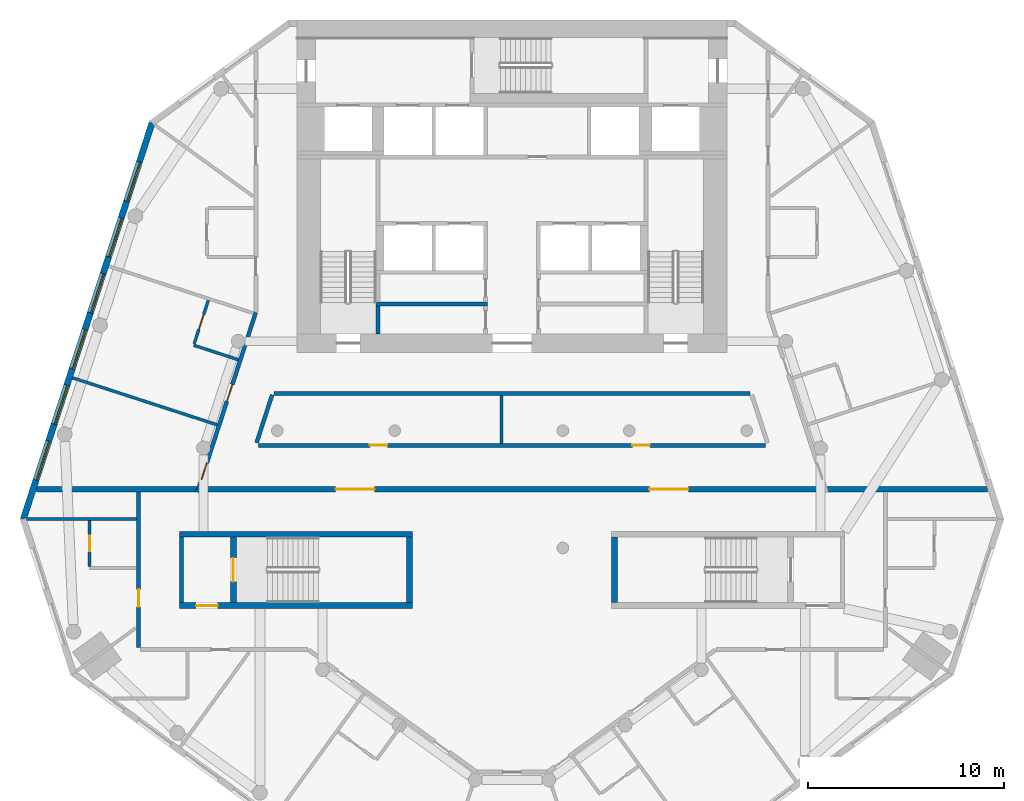
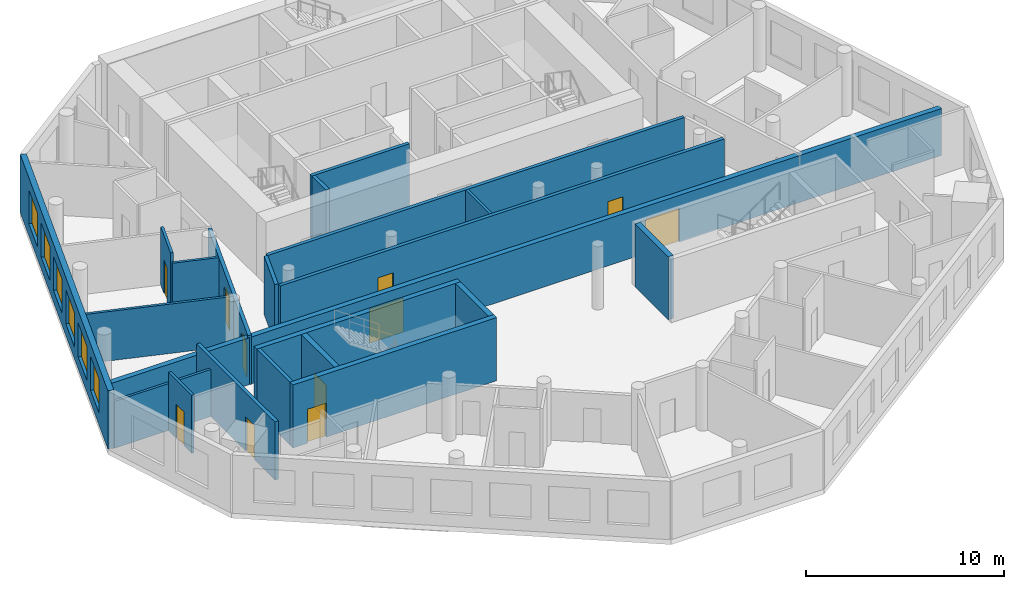
# One storey, part 3 of 9: 21 walls, 11 doors, 6 windows, 17 openings.
"""IFC4 building model written with IfcOpenShell, lengths in metres."""

from ifc_helpers import new_model, si_unit, direction, frame, frame_2d, origin, place, context, subcontext, project, spatial, rectangle, extrude, material, layer, layer_set, type_object, element, fill, save


model = new_model("IFC4")

# Units and contexts
model_context = context("Model", 3, precision=1e-05, world=origin(), true_north=direction((0.0, 1.0)))
body_context = subcontext(model_context, "Body", "Model", "MODEL_VIEW")
ifc_project = project(units=[si_unit("LENGTHUNIT", "METRE"), si_unit("AREAUNIT", "SQUARE_METRE"), si_unit("VOLUMEUNIT", "CUBIC_METRE"), si_unit("PLANEANGLEUNIT", "RADIAN"), si_unit("MASSUNIT", "GRAM", prefix="KILO")], contexts=[model_context])

# Site, building, storey
site_placement = place(None, origin())
site = spatial("IfcSite", under=ifc_project, at=site_placement, CompositionType="ELEMENT")
building_placement = place(site_placement, origin())
building = spatial("IfcBuilding", under=site, at=building_placement, Name="White Candle Pilgrim Tower", CompositionType="ELEMENT")
storey_placement = place(building_placement, frame((0.0, 0.0, 187.60009765625)))
storey = spatial("IfcBuildingStorey", under=building, at=storey_placement, Name="L43", CompositionType="ELEMENT", Elevation=187.60009765625)

# Wall
ifc_material_1 = material(Name="Concrete C60/75", Category="concrete")
ifc_layer_1 = layer(ifc_material_1, 0.199951171875)
ifc_layer_set_1 = layer_set([ifc_layer_1], Name="Core wall 200 mm Concrete C60/75")
wall_type_1 = type_object("IfcWallType", Name="Core wall 200 mm Concrete C60/75", PredefinedType="SHEAR", material=ifc_layer_set_1)
wall_1_placement = place(storey_placement, frame((53.10009765625, 58.199951171875, 0.0), z_axis=(0.0, 0.0, 1.0), x_axis=(0.0, 1.0, 0.0)))
element("IfcWall", 1, at=wall_1_placement, inside=storey, type_object=wall_type_1, Name="WL-L43-C03", PredefinedType="SHEAR", context=body_context, shape_type="SweptSolid", body=[
    extrude(rectangle(XDim=3.35009765625, YDim=0.199951171875, at=frame_2d((1.675048828125, 0.0))), origin(), (0.0, 0.0, 1.0), 3.89990234375),
])

# Wall, openings, doors
ifc_material_2 = material(Name="Gypsum board on steel studs", Category="steel")
ifc_layer_2 = layer(ifc_material_2, 0.199951171875)
ifc_layer_set_2 = layer_set([ifc_layer_2], Name="Corridor wall 200 mm EI 45")
wall_type_2 = type_object("IfcWallType", Name="Corridor wall 200 mm EI 45", PredefinedType="PARTITIONING", material=ifc_layer_set_2)
wall_2_placement = place(storey_placement, frame((53.90869140625, 63.85009765625, 0.0), z_axis=(0.0, 0.0, 1.0), x_axis=(0.309011240603, 0.95105838579, 0.0)))
wall_2 = element("IfcWall", 2, at=wall_2_placement, inside=storey, type_object=wall_type_2, Name="WL-L43-P002", PredefinedType="PARTITIONING", context=body_context, shape_type="SweptSolid", body=[
    extrude(rectangle(XDim=9.6640625, YDim=0.199951171875, at=frame_2d((4.83203125, 0.0))), origin(), (0.0, 0.0, 1.0), 3.0498046875),
])
opening_1_placement = place(wall_2_placement, frame((0.68603515625, 0.0, 0.0)))
opening_1 = element("IfcOpeningElement", 3, at=opening_1_placement, cuts=wall_2, Name="Opening T13-124", PredefinedType="OPENING", context=body_context, shape_type="SweptSolid", body=[
    extrude(rectangle(XDim=0.89990234375, YDim=2.10009765625, at=frame_2d((0.449951171875, 1.050048828125))), frame((0.0, 0.10986328125, 0.0), z_axis=(0.0, -1.0, 0.0), x_axis=(1.0, 0.0, 0.0)), (0.0, 0.0, 1.0), 0.219970703125),
])
opening_2_placement = place(wall_2_placement, frame((4.89208984375, 0.0, 0.0)))
opening_2 = element("IfcOpeningElement", 4, at=opening_2_placement, cuts=wall_2, Name="Opening T13-125", PredefinedType="OPENING", context=body_context, shape_type="SweptSolid", body=[
    extrude(rectangle(XDim=0.89990234375, YDim=2.10009765625, at=frame_2d((0.449951171875, 1.050048828125))), frame((0.0, 0.10986328125, 0.0), z_axis=(0.0, -1.0, 0.0), x_axis=(1.0, 0.0, 0.0)), (0.0, 0.0, 1.0), 0.219970703125),
])
ifc_material_3 = material(Name="Steel door leaf", Category="steel")
door_type_1 = type_object("IfcDoorType", Name="Fire door 900 x 2100 EI 30", OperationType="NOTDEFINED", PredefinedType="DOOR", material=ifc_material_3)
door_1_placement = place(opening_1_placement, origin())
door_1 = element("IfcDoor", 5, at=door_1_placement, inside=storey, type_object=door_type_1, Name="Door T13-124", OperationType="SINGLE_SWING_RIGHT", OverallHeight=2.10009765625, OverallWidth=0.89990234375, PredefinedType="DOOR", context=body_context, shape_type="SweptSolid", body=[
    extrude(rectangle(XDim=0.89990234375, YDim=2.10009765625, at=frame_2d((0.449951171875, 1.050048828125))), frame((0.0, 0.02490234375, 0.0), z_axis=(0.0, -1.0, 0.0), x_axis=(1.0, 0.0, 0.0)), (0.0, 0.0, 1.0), 0.050048828125),
])
fill(opening_1, door_1)
door_2_placement = place(opening_2_placement, origin())
door_2 = element("IfcDoor", 6, at=door_2_placement, inside=storey, type_object=door_type_1, Name="Door T13-125", OperationType="SINGLE_SWING_LEFT", OverallHeight=2.10009765625, OverallWidth=0.89990234375, PredefinedType="DOOR", context=body_context, shape_type="SweptSolid", body=[
    extrude(rectangle(XDim=0.89990234375, YDim=2.10009765625, at=frame_2d((0.449951171875, 1.050048828125))), frame((0.0, 0.02490234375, 0.0), z_axis=(0.0, -1.0, 0.0), x_axis=(1.0, 0.0, 0.0)), (0.0, 0.0, 1.0), 0.050048828125),
])
fill(opening_2, door_2)

# Wall, opening, door
wall_3_placement = place(storey_placement, frame((50.89990234375, 55.89990234375, 0.0), z_axis=(0.0, 0.0, 1.0), x_axis=(0.0, 1.0, 0.0)))
wall_3 = element("IfcWall", 7, at=wall_3_placement, inside=storey, type_object=wall_type_2, Name="WL-L43-P012", PredefinedType="PARTITIONING", context=body_context, shape_type="SweptSolid", body=[
    extrude(rectangle(XDim=7.9501953125, YDim=0.199951171875, at=frame_2d((3.97509765625, 0.0))), origin(), (0.0, 0.0, 1.0), 3.599853515625),
])
opening_3_placement = place(wall_3_placement, frame((2.088134765625, 0.0, 0.0)))
opening_3 = element("IfcOpeningElement", 8, at=opening_3_placement, cuts=wall_3, Name="Opening T13-104", PredefinedType="OPENING", context=body_context, shape_type="SweptSolid", body=[
    extrude(rectangle(XDim=0.89990234375, YDim=2.10009765625, at=frame_2d((0.449951171875, 1.050048828125))), frame((0.0, 0.10986328125, 0.0), z_axis=(0.0, -1.0, 0.0), x_axis=(1.0, 0.0, 0.0)), (0.0, 0.0, 1.0), 0.219970703125),
])
door_3_placement = place(opening_3_placement, origin())
door_3 = element("IfcDoor", 9, at=door_3_placement, inside=storey, type_object=door_type_1, Name="Door T13-104", OperationType="SINGLE_SWING_RIGHT", OverallHeight=2.10009765625, OverallWidth=0.89990234375, PredefinedType="DOOR", context=body_context, shape_type="SweptSolid", body=[
    extrude(rectangle(XDim=0.89990234375, YDim=2.10009765625, at=frame_2d((0.449951171875, 1.050048828125))), frame((0.0, 0.02490234375, 0.0), z_axis=(0.0, -1.0, 0.0), x_axis=(1.0, 0.0, 0.0)), (0.0, 0.0, 1.0), 0.050048828125),
])
fill(opening_3, door_3)

# Walls
wall_4_placement = place(storey_placement, frame((82.169677734375, 68.89990234375, 0.0), z_axis=(0.0, 0.0, 1.0), x_axis=(-1.0, 0.0, 0.0)))
element("IfcWall", 10, at=wall_4_placement, inside=storey, type_object=wall_type_2, Name="WL-L43-P014", PredefinedType="PARTITIONING", context=body_context, shape_type="SweptSolid", body=[
    extrude(rectangle(XDim=24.33935546875, YDim=0.199951171875, at=frame_2d((12.169677734375, 0.0))), origin(), (0.0, 0.0, 1.0), 3.599853515625),
])
wall_5_placement = place(storey_placement, frame((57.735107421875, 68.830810546875, 0.0), z_axis=(0.0, 0.0, 1.0), x_axis=(-0.308968203288, -0.951072368097, 0.0)))
element("IfcWall", 11, at=wall_5_placement, inside=storey, type_object=wall_type_2, Name="WL-L43-P015", PredefinedType="PARTITIONING", context=body_context, shape_type="SweptSolid", body=[
    extrude(rectangle(XDim=2.575927734375, YDim=0.199951171875, at=frame_2d((1.2880859375, 0.0))), origin(), (0.0, 0.0, 1.0), 3.599853515625),
])

# Wall, openings, doors
wall_6_placement = place(storey_placement, frame((57.0341796875, 66.25, 0.0), z_axis=(0.0, 0.0, 1.0), x_axis=(1.0, 0.0, 0.0)))
wall_6 = element("IfcWall", 12, at=wall_6_placement, inside=storey, type_object=wall_type_2, Name="WL-L43-P016", PredefinedType="PARTITIONING", context=body_context, shape_type="SweptSolid", body=[
    extrude(rectangle(XDim=25.931640625, YDim=0.199951171875, at=frame_2d((12.9658203125, 0.0))), origin(), (0.0, 0.0, 1.0), 3.599853515625),
])
opening_4_placement = place(wall_6_placement, frame((5.6923828125, 0.0, 0.0)))
opening_4 = element("IfcOpeningElement", 13, at=opening_4_placement, cuts=wall_6, Name="Opening T13-122", PredefinedType="OPENING", context=body_context, shape_type="SweptSolid", body=[
    extrude(rectangle(XDim=0.89990234375, YDim=2.10009765625, at=frame_2d((0.449951171875, 1.050048828125))), frame((0.0, 0.10986328125, 0.0), z_axis=(0.0, -1.0, 0.0), x_axis=(1.0, 0.0, 0.0)), (0.0, 0.0, 1.0), 0.219970703125),
])
opening_5_placement = place(wall_6_placement, frame((19.12060546875, 0.0, 0.0)))
opening_5 = element("IfcOpeningElement", 14, at=opening_5_placement, cuts=wall_6, Name="Opening T13-123", PredefinedType="OPENING", context=body_context, shape_type="SweptSolid", body=[
    extrude(rectangle(XDim=0.89990234375, YDim=2.10009765625, at=frame_2d((0.449951171875, 1.050048828125))), frame((0.0, 0.10986328125, 0.0), z_axis=(0.0, -1.0, 0.0), x_axis=(1.0, 0.0, 0.0)), (0.0, 0.0, 1.0), 0.219970703125),
])
door_4_placement = place(opening_4_placement, origin())
door_4 = element("IfcDoor", 15, at=door_4_placement, inside=storey, type_object=door_type_1, Name="Door T13-122", OperationType="SINGLE_SWING_RIGHT", OverallHeight=2.10009765625, OverallWidth=0.89990234375, PredefinedType="DOOR", context=body_context, shape_type="SweptSolid", body=[
    extrude(rectangle(XDim=0.89990234375, YDim=2.10009765625, at=frame_2d((0.449951171875, 1.050048828125))), frame((0.0, 0.02490234375, 0.0), z_axis=(0.0, -1.0, 0.0), x_axis=(1.0, 0.0, 0.0)), (0.0, 0.0, 1.0), 0.050048828125),
])
fill(opening_4, door_4)
door_5_placement = place(opening_5_placement, origin())
door_5 = element("IfcDoor", 16, at=door_5_placement, inside=storey, type_object=door_type_1, Name="Door T13-123", OperationType="SINGLE_SWING_RIGHT", OverallHeight=2.10009765625, OverallWidth=0.89990234375, PredefinedType="DOOR", context=body_context, shape_type="SweptSolid", body=[
    extrude(rectangle(XDim=0.89990234375, YDim=2.10009765625, at=frame_2d((0.449951171875, 1.050048828125))), frame((0.0, 0.02490234375, 0.0), z_axis=(0.0, -1.0, 0.0), x_axis=(1.0, 0.0, 0.0)), (0.0, 0.0, 1.0), 0.050048828125),
])
fill(opening_5, door_5)

# Wall, openings, windows
ifc_material_4 = material(Name="Precast concrete C40/50", Category="concrete")
ifc_layer_3 = layer(ifc_material_4, 0.320068359375)
ifc_layer_set_3 = layer_set([ifc_layer_3], Name="Facade wall EW1 precast concrete C40/50 pier wall with timber-lined reveals")
wall_type_3 = type_object("IfcWallType", Name="Facade wall EW1 precast concrete C40/50 pier wall with timber-lined reveals", PredefinedType="SOLIDWALL", material=ifc_layer_set_3)
wall_7_placement = place(storey_placement, frame((51.591796875, 82.7373046875, 0.0), z_axis=(0.0, 0.0, 1.0), x_axis=(-0.309014571298, -0.951057303597, 0.0)))
wall_7 = element("IfcWall", 17, at=wall_7_placement, inside=storey, type_object=wall_type_3, Name="Facade wall L43 WNW", PredefinedType="SOLIDWALL", context=body_context, shape_type="SweptSolid", body=[
    extrude(rectangle(XDim=21.3095703125, YDim=0.320068359375, at=frame_2d((10.65478515625, 0.0))), origin(), (0.0, 0.0, 1.0), 3.599853515625),
])
opening_6_placement = place(wall_7_placement, frame((2.104736328125, 0.0, 0.75)))
opening_6 = element("IfcOpeningElement", 18, at=opening_6_placement, cuts=wall_7, Name="Opening W3", PredefinedType="OPENING", context=body_context, shape_type="SweptSolid", body=[
    extrude(rectangle(XDim=2.10009765625, YDim=2.10009765625, at=frame_2d((1.050048828125, 1.050048828125))), frame((0.0, 0.169921875, 0.0), z_axis=(0.0, -1.0, 0.0), x_axis=(1.0, 0.0, 0.0)), (0.0, 0.0, 1.0), 0.340087890625),
])
opening_7_placement = place(wall_7_placement, frame((5.104736328125, 0.0, 0.75)))
opening_7 = element("IfcOpeningElement", 19, at=opening_7_placement, cuts=wall_7, Name="Opening W3", PredefinedType="OPENING", context=body_context, shape_type="SweptSolid", body=[
    extrude(rectangle(XDim=2.10009765625, YDim=2.10009765625, at=frame_2d((1.050048828125, 1.050048828125))), frame((0.0, 0.169921875, 0.0), z_axis=(0.0, -1.0, 0.0), x_axis=(1.0, 0.0, 0.0)), (0.0, 0.0, 1.0), 0.340087890625),
])
opening_8_placement = place(wall_7_placement, frame((8.104736328125, 0.0, 0.75)))
opening_8 = element("IfcOpeningElement", 20, at=opening_8_placement, cuts=wall_7, Name="Opening W3", PredefinedType="OPENING", context=body_context, shape_type="SweptSolid", body=[
    extrude(rectangle(XDim=2.10009765625, YDim=2.10009765625, at=frame_2d((1.050048828125, 1.050048828125))), frame((0.0, 0.169921875, 0.0), z_axis=(0.0, -1.0, 0.0), x_axis=(1.0, 0.0, 0.0)), (0.0, 0.0, 1.0), 0.340087890625),
])
opening_9_placement = place(wall_7_placement, frame((11.104736328125, 0.0, 0.75)))
opening_9 = element("IfcOpeningElement", 21, at=opening_9_placement, cuts=wall_7, Name="Opening W3", PredefinedType="OPENING", context=body_context, shape_type="SweptSolid", body=[
    extrude(rectangle(XDim=2.10009765625, YDim=2.10009765625, at=frame_2d((1.050048828125, 1.050048828125))), frame((0.0, 0.169921875, 0.0), z_axis=(0.0, -1.0, 0.0), x_axis=(1.0, 0.0, 0.0)), (0.0, 0.0, 1.0), 0.340087890625),
])
opening_10_placement = place(wall_7_placement, frame((14.104736328125, 0.0, 0.75)))
opening_10 = element("IfcOpeningElement", 22, at=opening_10_placement, cuts=wall_7, Name="Opening W3", PredefinedType="OPENING", context=body_context, shape_type="SweptSolid", body=[
    extrude(rectangle(XDim=2.10009765625, YDim=2.10009765625, at=frame_2d((1.050048828125, 1.050048828125))), frame((0.0, 0.169921875, 0.0), z_axis=(0.0, -1.0, 0.0), x_axis=(1.0, 0.0, 0.0)), (0.0, 0.0, 1.0), 0.340087890625),
])
opening_11_placement = place(wall_7_placement, frame((17.104736328125, 0.0, 0.75)))
opening_11 = element("IfcOpeningElement", 23, at=opening_11_placement, cuts=wall_7, Name="Opening W3", PredefinedType="OPENING", context=body_context, shape_type="SweptSolid", body=[
    extrude(rectangle(XDim=2.10009765625, YDim=2.10009765625, at=frame_2d((1.050048828125, 1.050048828125))), frame((0.0, 0.169921875, 0.0), z_axis=(0.0, -1.0, 0.0), x_axis=(1.0, 0.0, 0.0)), (0.0, 0.0, 1.0), 0.340087890625),
])
ifc_material_5 = material(Name="Timber frame with triple glazing", Category="wood")
window_type = type_object("IfcWindowType", Name="Window W3 2100x2100 timber frame triple glazing", PartitioningType="SINGLE_PANEL", PredefinedType="WINDOW", material=ifc_material_5)
window_1_placement = place(opening_6_placement, origin())
window_1 = element("IfcWindow", 24, at=window_1_placement, inside=storey, type_object=window_type, Name="Window W3 L43 WNW 1", OverallHeight=2.10009765625, OverallWidth=2.10009765625, PartitioningType="SINGLE_PANEL", PredefinedType="WINDOW", context=body_context, shape_type="SweptSolid", body=[
    extrude(rectangle(XDim=2.10009765625, YDim=2.10009765625, at=frame_2d((1.050048828125, 1.050048828125))), frame((0.0, 0.070068359375, 0.0), z_axis=(0.0, -1.0, 0.0), x_axis=(1.0, 0.0, 0.0)), (0.0, 0.0, 1.0), 0.06005859375),
])
fill(opening_6, window_1)
window_2_placement = place(opening_7_placement, origin())
window_2 = element("IfcWindow", 25, at=window_2_placement, inside=storey, type_object=window_type, Name="Window W3 L43 WNW 2", OverallHeight=2.10009765625, OverallWidth=2.10009765625, PartitioningType="SINGLE_PANEL", PredefinedType="WINDOW", context=body_context, shape_type="SweptSolid", body=[
    extrude(rectangle(XDim=2.10009765625, YDim=2.10009765625, at=frame_2d((1.050048828125, 1.050048828125))), frame((0.0, 0.070068359375, 0.0), z_axis=(0.0, -1.0, 0.0), x_axis=(1.0, 0.0, 0.0)), (0.0, 0.0, 1.0), 0.06005859375),
])
fill(opening_7, window_2)
window_3_placement = place(opening_8_placement, origin())
window_3 = element("IfcWindow", 26, at=window_3_placement, inside=storey, type_object=window_type, Name="Window W3 L43 WNW 3", OverallHeight=2.10009765625, OverallWidth=2.10009765625, PartitioningType="SINGLE_PANEL", PredefinedType="WINDOW", context=body_context, shape_type="SweptSolid", body=[
    extrude(rectangle(XDim=2.10009765625, YDim=2.10009765625, at=frame_2d((1.050048828125, 1.050048828125))), frame((0.0, 0.070068359375, 0.0), z_axis=(0.0, -1.0, 0.0), x_axis=(1.0, 0.0, 0.0)), (0.0, 0.0, 1.0), 0.06005859375),
])
fill(opening_8, window_3)
window_4_placement = place(opening_9_placement, origin())
window_4 = element("IfcWindow", 27, at=window_4_placement, inside=storey, type_object=window_type, Name="Window W3 L43 WNW 4", OverallHeight=2.10009765625, OverallWidth=2.10009765625, PartitioningType="SINGLE_PANEL", PredefinedType="WINDOW", context=body_context, shape_type="SweptSolid", body=[
    extrude(rectangle(XDim=2.10009765625, YDim=2.10009765625, at=frame_2d((1.050048828125, 1.050048828125))), frame((0.0, 0.070068359375, 0.0), z_axis=(0.0, -1.0, 0.0), x_axis=(1.0, 0.0, 0.0)), (0.0, 0.0, 1.0), 0.06005859375),
])
fill(opening_9, window_4)
window_5_placement = place(opening_10_placement, origin())
window_5 = element("IfcWindow", 28, at=window_5_placement, inside=storey, type_object=window_type, Name="Window W3 L43 WNW 5", OverallHeight=2.10009765625, OverallWidth=2.10009765625, PartitioningType="SINGLE_PANEL", PredefinedType="WINDOW", context=body_context, shape_type="SweptSolid", body=[
    extrude(rectangle(XDim=2.10009765625, YDim=2.10009765625, at=frame_2d((1.050048828125, 1.050048828125))), frame((0.0, 0.070068359375, 0.0), z_axis=(0.0, -1.0, 0.0), x_axis=(1.0, 0.0, 0.0)), (0.0, 0.0, 1.0), 0.06005859375),
])
fill(opening_10, window_5)
window_6_placement = place(opening_11_placement, origin())
window_6 = element("IfcWindow", 29, at=window_6_placement, inside=storey, type_object=window_type, Name="Window W3 L43 WNW 6", OverallHeight=2.10009765625, OverallWidth=2.10009765625, PartitioningType="SINGLE_PANEL", PredefinedType="WINDOW", context=body_context, shape_type="SweptSolid", body=[
    extrude(rectangle(XDim=2.10009765625, YDim=2.10009765625, at=frame_2d((1.050048828125, 1.050048828125))), frame((0.0, 0.070068359375, 0.0), z_axis=(0.0, -1.0, 0.0), x_axis=(1.0, 0.0, 0.0)), (0.0, 0.0, 1.0), 0.06005859375),
])
fill(opening_11, window_6)

# Wall, openings, doors
ifc_material_6 = material(Name="Aerated concrete block", Category="concrete")
ifc_layer_4 = layer(ifc_material_6, 0.300048828125)
ifc_layer_set_4 = layer_set([ifc_layer_4], Name="Fire wall 300 mm REI 240")
wall_type_4 = type_object("IfcWallType", Name="Fire wall 300 mm REI 240", PredefinedType="PARTITIONING", material=ifc_layer_set_4)
wall_8_placement = place(storey_placement, frame((45.671875, 64.0, 0.0), z_axis=(0.0, 0.0, 1.0), x_axis=(1.0, 0.0, 0.0)))
wall_8 = element("IfcWall", 30, at=wall_8_placement, inside=storey, type_object=wall_type_4, Name="WL-L43-P001", PredefinedType="PARTITIONING", context=body_context, shape_type="SweptSolid", body=[
    extrude(rectangle(XDim=48.65625, YDim=0.300048828125, at=frame_2d((24.328125, 0.0))), origin(), (0.0, 0.0, 1.0), 2.89990234375),
])
opening_12_placement = place(wall_8_placement, frame((15.306884765625, 0.0, 0.0)))
opening_12 = element("IfcOpeningElement", 31, at=opening_12_placement, cuts=wall_8, Name="Opening T13-120", PredefinedType="OPENING", context=body_context, shape_type="SweptSolid", body=[
    extrude(rectangle(XDim=2.0, YDim=2.10009765625, at=frame_2d((1.0, 1.050048828125))), frame((0.0, 0.159912109375, 0.0), z_axis=(0.0, -1.0, 0.0), x_axis=(1.0, 0.0, 0.0)), (0.0, 0.0, 1.0), 0.320068359375),
])
opening_13_placement = place(wall_8_placement, frame((31.349365234375, 0.0, 0.0)))
opening_13 = element("IfcOpeningElement", 32, at=opening_13_placement, cuts=wall_8, Name="Opening T13-121", PredefinedType="OPENING", context=body_context, shape_type="SweptSolid", body=[
    extrude(rectangle(XDim=2.0, YDim=2.10009765625, at=frame_2d((1.0, 1.050048828125))), frame((0.0, 0.159912109375, 0.0), z_axis=(0.0, -1.0, 0.0), x_axis=(1.0, 0.0, 0.0)), (0.0, 0.0, 1.0), 0.320068359375),
])
door_type_2 = type_object("IfcDoorType", Name="Fire door 2000 x 2100 EI 60", OperationType="NOTDEFINED", PredefinedType="DOOR", material=ifc_material_3)
door_6_placement = place(opening_12_placement, origin())
door_6 = element("IfcDoor", 33, at=door_6_placement, inside=storey, type_object=door_type_2, Name="Door T13-120", OperationType="DOUBLE_DOOR_SINGLE_SWING", OverallHeight=2.10009765625, OverallWidth=2.0, PredefinedType="DOOR", context=body_context, shape_type="SweptSolid", body=[
    extrude(rectangle(XDim=2.0, YDim=2.10009765625, at=frame_2d((1.0, 1.050048828125))), frame((0.0, 0.02490234375, 0.0), z_axis=(0.0, -1.0, 0.0), x_axis=(1.0, 0.0, 0.0)), (0.0, 0.0, 1.0), 0.050048828125),
])
fill(opening_12, door_6)
door_7_placement = place(opening_13_placement, origin())
door_7 = element("IfcDoor", 34, at=door_7_placement, inside=storey, type_object=door_type_2, Name="Door T13-121", OperationType="DOUBLE_DOOR_SINGLE_SWING", OverallHeight=2.10009765625, OverallWidth=2.0, PredefinedType="DOOR", context=body_context, shape_type="SweptSolid", body=[
    extrude(rectangle(XDim=2.0, YDim=2.10009765625, at=frame_2d((1.0, 1.050048828125))), frame((0.0, 0.02490234375, 0.0), z_axis=(0.0, -1.0, 0.0), x_axis=(1.0, 0.0, 0.0)), (0.0, 0.0, 1.0), 0.050048828125),
])
fill(opening_13, door_7)

# Walls
ifc_layer_5 = layer(ifc_material_2, 0.14990234375)
ifc_layer_set_5 = layer_set([ifc_layer_5], Name="Partition 150 mm EI 60")
wall_type_5 = type_object("IfcWallType", Name="Partition 150 mm EI 60", PredefinedType="PARTITIONING", material=ifc_layer_set_5)
wall_9_placement = place(storey_placement, frame((45.175048828125, 62.470703125, 0.0), z_axis=(0.0, 0.0, 1.0), x_axis=(1.0, 0.0, 0.0)))
element("IfcWall", 35, at=wall_9_placement, inside=storey, type_object=wall_type_5, Name="WL-L43-P018", PredefinedType="PARTITIONING", context=body_context, shape_type="SweptSolid", body=[
    extrude(rectangle(XDim=5.625, YDim=0.14990234375, at=frame_2d((2.8125, 0.0))), origin(), (0.0, 0.0, 1.0), 2.89990234375),
])
wall_10_placement = place(storey_placement, frame((47.5244140625, 69.701416015625, 0.0), z_axis=(0.0, 0.0, 1.0), x_axis=(0.951059663309, -0.309007308694, 0.0)))
element("IfcWall", 36, at=wall_10_placement, inside=storey, type_object=wall_type_5, Name="WL-L43-P027", PredefinedType="PARTITIONING", context=body_context, shape_type="SweptSolid", body=[
    extrude(rectangle(XDim=7.780029296875, YDim=0.14990234375, at=frame_2d((3.89013671875, 0.0))), origin(), (0.0, 0.0, 1.0), 3.0498046875),
])
wall_11_placement = place(storey_placement, frame((56.005126953125, 70.6259765625, 0.0), z_axis=(0.0, 0.0, 1.0), x_axis=(-0.951046776628, 0.309046968381, 0.0)))
element("IfcWall", 37, at=wall_11_placement, inside=storey, type_object=wall_type_5, Name="WL-L43-P031", PredefinedType="PARTITIONING", context=body_context, shape_type="SweptSolid", body=[
    extrude(rectangle(XDim=2.39990234375, YDim=0.14990234375, at=frame_2d((1.199951171875, 0.0))), origin(), (0.0, 0.0, 1.0), 3.0498046875),
])

# Wall, opening, door
wall_12_placement = place(storey_placement, frame((54.471923828125, 73.673828125, 0.0), z_axis=(0.0, 0.0, 1.0), x_axis=(-0.308987401554, -0.951066131077, 0.0)))
wall_12 = element("IfcWall", 38, at=wall_12_placement, inside=storey, type_object=wall_type_5, Name="WL-L43-P032", PredefinedType="PARTITIONING", context=body_context, shape_type="SweptSolid", body=[
    extrude(rectangle(XDim=2.349853515625, YDim=0.14990234375, at=frame_2d((1.1748046875, 0.0))), origin(), (0.0, 0.0, 1.0), 3.599853515625),
])
opening_14_placement = place(wall_12_placement, frame((0.77490234375, 0.0, 0.0)))
opening_14 = element("IfcOpeningElement", 39, at=opening_14_placement, cuts=wall_12, Name="Opening T13-102", PredefinedType="OPENING", context=body_context, shape_type="SweptSolid", body=[
    extrude(rectangle(XDim=0.800048828125, YDim=2.10009765625, at=frame_2d((0.39990234375, 1.050048828125))), frame((0.0, 0.0849609375, 0.0), z_axis=(0.0, -1.0, 0.0), x_axis=(1.0, 0.0, 0.0)), (0.0, 0.0, 1.0), 0.169921875),
])
door_type_3 = type_object("IfcDoorType", Name="Fire door 800 x 2100 EI 30", OperationType="NOTDEFINED", PredefinedType="DOOR", material=ifc_material_3)
door_8_placement = place(opening_14_placement, frame((0.800048828125, 0.0, 0.0), z_axis=(0.0, 0.0, 1.0), x_axis=(-1.0, 0.0, 0.0)))
door_8 = element("IfcDoor", 40, at=door_8_placement, inside=storey, type_object=door_type_3, Name="Door T13-102", OperationType="SINGLE_SWING_LEFT", OverallHeight=2.10009765625, OverallWidth=0.800048828125, PredefinedType="DOOR", context=body_context, shape_type="SweptSolid", body=[
    extrude(rectangle(XDim=0.800048828125, YDim=2.10009765625, at=frame_2d((0.39990234375, 1.050048828125))), frame((0.0, 0.02490234375, 0.0), z_axis=(0.0, -1.0, 0.0), x_axis=(1.0, 0.0, 0.0)), (0.0, 0.0, 1.0), 0.050048828125),
])
fill(opening_14, door_8)

wall_13_placement = place(storey_placement, frame((48.39990234375, 62.395751953125, 0.0), z_axis=(0.0, 0.0, 1.0), x_axis=(0.0, -1.0, 0.0)))
wall_13 = element("IfcWall", 41, at=wall_13_placement, inside=storey, type_object=wall_type_5, Name="WL-L43-P034", PredefinedType="PARTITIONING", context=body_context, shape_type="SweptSolid", body=[
    extrude(rectangle(XDim=2.35009765625, YDim=0.14990234375, at=frame_2d((1.175048828125, 0.0))), origin(), (0.0, 0.0, 1.0), 3.599853515625),
])
opening_15_placement = place(wall_13_placement, frame((0.77490234375, 0.0, 0.0)))
opening_15 = element("IfcOpeningElement", 42, at=opening_15_placement, cuts=wall_13, Name="Opening T13-103", PredefinedType="OPENING", context=body_context, shape_type="SweptSolid", body=[
    extrude(rectangle(XDim=0.800048828125, YDim=2.10009765625, at=frame_2d((0.39990234375, 1.050048828125))), frame((0.0, 0.0849609375, 0.0), z_axis=(0.0, -1.0, 0.0), x_axis=(1.0, 0.0, 0.0)), (0.0, 0.0, 1.0), 0.169921875),
])
door_9_placement = place(opening_15_placement, frame((0.800048828125, 0.0, 0.0), z_axis=(0.0, 0.0, 1.0), x_axis=(-1.0, 0.0, 0.0)))
door_9 = element("IfcDoor", 43, at=door_9_placement, inside=storey, type_object=door_type_3, Name="Door T13-103", OperationType="SINGLE_SWING_RIGHT", OverallHeight=2.10009765625, OverallWidth=0.800048828125, PredefinedType="DOOR", context=body_context, shape_type="SweptSolid", body=[
    extrude(rectangle(XDim=0.800048828125, YDim=2.10009765625, at=frame_2d((0.39990234375, 1.050048828125))), frame((0.0, 0.02490234375, 0.0), z_axis=(0.0, -1.0, 0.0), x_axis=(1.0, 0.0, 0.0)), (0.0, 0.0, 1.0), 0.050048828125),
])
fill(opening_15, door_9)

# Walls
wall_14_placement = place(storey_placement, frame((69.45654296875, 66.35009765625, 0.0), z_axis=(0.0, 0.0, 1.0), x_axis=(0.0, 1.0, 0.0)))
element("IfcWall", 44, at=wall_14_placement, inside=storey, type_object=wall_type_5, Name="WL-L43-P059", PredefinedType="PARTITIONING", context=body_context, shape_type="SweptSolid", body=[
    extrude(rectangle(XDim=2.449951171875, YDim=0.14990234375, at=frame_2d((1.22509765625, 0.0))), origin(), (0.0, 0.0, 1.0), 3.599853515625),
])
ifc_layer_6 = layer(ifc_material_1, 0.199951171875)
ifc_layer_set_6 = layer_set([ifc_layer_6], Name="Stair shaft wall 200 mm Concrete C60/75")
wall_type_6 = type_object("IfcWallType", Name="Stair shaft wall 200 mm Concrete C60/75", PredefinedType="SHEAR", material=ifc_layer_set_6)
wall_15_placement = place(storey_placement, frame((63.14990234375, 71.949951171875, 0.0), z_axis=(0.0, 0.0, 1.0), x_axis=(0.0, 1.0, 0.0)))
element("IfcWall", 45, at=wall_15_placement, inside=storey, type_object=wall_type_6, Name="WL-L43-C13", PredefinedType="SHEAR", context=body_context, shape_type="SweptSolid", body=[
    extrude(rectangle(XDim=1.425048828125, YDim=0.199951171875, at=frame_2d((0.71240234375, 0.0))), origin(), (0.0, 0.0, 1.0), 3.89990234375),
])
wall_16_placement = place(storey_placement, frame((63.050048828125, 73.47509765625, 0.0), z_axis=(0.0, 0.0, 1.0), x_axis=(1.0, 0.0, 0.0)))
element("IfcWall", 46, at=wall_16_placement, inside=storey, type_object=wall_type_6, Name="WL-L43-C18", PredefinedType="SHEAR", context=body_context, shape_type="SweptSolid", body=[
    extrude(rectangle(XDim=5.699951171875, YDim=0.199951171875, at=frame_2d((2.85009765625, 0.0))), origin(), (0.0, 0.0, 1.0), 3.89990234375),
])

# Wall, opening, door
ifc_layer_7 = layer(ifc_material_1, 0.300048828125)
ifc_layer_set_7 = layer_set([ifc_layer_7], Name="Stair shaft wall 300 mm Concrete C60/75")
wall_type_7 = type_object("IfcWallType", Name="Stair shaft wall 300 mm Concrete C60/75", PredefinedType="SHEAR", material=ifc_layer_set_7)
wall_17_placement = place(storey_placement, frame((53.0, 58.050048828125, 0.0), z_axis=(0.0, 0.0, 1.0), x_axis=(1.0, 0.0, 0.0)))
wall_17 = element("IfcWall", 47, at=wall_17_placement, inside=storey, type_object=wall_type_7, Name="WL-L43-C01", PredefinedType="SHEAR", context=body_context, shape_type="SweptSolid", body=[
    extrude(rectangle(XDim=11.89990234375, YDim=0.300048828125, at=frame_2d((5.949951171875, 0.0))), origin(), (0.0, 0.0, 1.0), 3.89990234375),
])
opening_16_placement = place(wall_17_placement, frame((0.85009765625, 0.0, 0.0)))
opening_16 = element("IfcOpeningElement", 48, at=opening_16_placement, cuts=wall_17, Name="Opening T13-011", PredefinedType="OPENING", context=body_context, shape_type="SweptSolid", body=[
    extrude(rectangle(XDim=1.10009765625, YDim=2.10009765625, at=frame_2d((0.550048828125, 1.050048828125))), frame((0.0, 0.159912109375, 0.0), z_axis=(0.0, -1.0, 0.0), x_axis=(1.0, 0.0, 0.0)), (0.0, 0.0, 1.0), 0.320068359375),
])
door_type_4 = type_object("IfcDoorType", Name="Fire door 1100 x 2100 EI 60", OperationType="NOTDEFINED", PredefinedType="DOOR", material=ifc_material_3)
door_10_placement = place(opening_16_placement, origin())
door_10 = element("IfcDoor", 49, at=door_10_placement, inside=storey, type_object=door_type_4, Name="Door T13-011", OperationType="SINGLE_SWING_LEFT", OverallHeight=2.10009765625, OverallWidth=1.10009765625, PredefinedType="DOOR", context=body_context, shape_type="SweptSolid", body=[
    extrude(rectangle(XDim=1.10009765625, YDim=2.10009765625, at=frame_2d((0.550048828125, 1.050048828125))), frame((0.0, 0.02490234375, 0.0), z_axis=(0.0, -1.0, 0.0), x_axis=(1.0, 0.0, 0.0)), (0.0, 0.0, 1.0), 0.050048828125),
])
fill(opening_16, door_10)

wall_18_placement = place(storey_placement, frame((55.75, 58.199951171875, 0.0), z_axis=(0.0, 0.0, 1.0), x_axis=(0.0, 1.0, 0.0)))
wall_18 = element("IfcWall", 50, at=wall_18_placement, inside=storey, type_object=wall_type_7, Name="WL-L43-C04", PredefinedType="SHEAR", context=body_context, shape_type="SweptSolid", body=[
    extrude(rectangle(XDim=3.35009765625, YDim=0.300048828125, at=frame_2d((1.675048828125, 0.0))), origin(), (0.0, 0.0, 1.0), 3.89990234375),
])
opening_17_placement = place(wall_18_placement, frame((1.074951171875, 0.0, 0.0)))
opening_17 = element("IfcOpeningElement", 51, at=opening_17_placement, cuts=wall_18, Name="Opening T13-012", PredefinedType="OPENING", context=body_context, shape_type="SweptSolid", body=[
    extrude(rectangle(XDim=1.199951171875, YDim=2.10009765625, at=frame_2d((0.60009765625, 1.050048828125))), frame((0.0, 0.159912109375, 0.0), z_axis=(0.0, -1.0, 0.0), x_axis=(1.0, 0.0, 0.0)), (0.0, 0.0, 1.0), 0.320068359375),
])
door_type_5 = type_object("IfcDoorType", Name="Fire door 1200 x 2100 EI 60", OperationType="NOTDEFINED", PredefinedType="DOOR", material=ifc_material_3)
door_11_placement = place(opening_17_placement, frame((1.199951171875, 0.0, 0.0), z_axis=(0.0, 0.0, 1.0), x_axis=(-1.0, 0.0, 0.0)))
door_11 = element("IfcDoor", 52, at=door_11_placement, inside=storey, type_object=door_type_5, Name="Door T13-012", OperationType="SINGLE_SWING_LEFT", OverallHeight=2.10009765625, OverallWidth=1.199951171875, PredefinedType="DOOR", context=body_context, shape_type="SweptSolid", body=[
    extrude(rectangle(XDim=1.199951171875, YDim=2.10009765625, at=frame_2d((0.60009765625, 1.050048828125))), frame((0.0, 0.02490234375, 0.0), z_axis=(0.0, -1.0, 0.0), x_axis=(1.0, 0.0, 0.0)), (0.0, 0.0, 1.0), 0.050048828125),
])
fill(opening_17, door_11)

# Walls
for number, where, z_axis, x_axis, name in (
    (53, (64.75, 58.199951171875, 0.0), (0.0, 0.0, 1.0), (0.0, 1.0, 0.0), "WL-L43-C05"),
    (54, (75.25, 58.199951171875, 0.0), (0.0, 0.0, 1.0), (0.0, 1.0, 0.0), "WL-L43-C06"),
):
    element("IfcWall", number, at=place(storey_placement, frame(where, z_axis=z_axis, x_axis=x_axis)), inside=storey, type_object=wall_type_7, Name=name, PredefinedType="SHEAR", context=body_context, shape_type="SweptSolid", body=[
        extrude(rectangle(XDim=3.35009765625, YDim=0.300048828125, at=frame_2d((1.675048828125, 0.0))), origin(), (0.0, 0.0, 1.0), 3.89990234375),
    ])
wall_19_placement = place(storey_placement, frame((53.0, 61.699951171875, 0.0), z_axis=(0.0, 0.0, 1.0), x_axis=(1.0, 0.0, 0.0)))
element("IfcWall", 55, at=wall_19_placement, inside=storey, type_object=wall_type_7, Name="WL-L43-C09", PredefinedType="SHEAR", context=body_context, shape_type="SweptSolid", body=[
    extrude(rectangle(XDim=11.89990234375, YDim=0.300048828125, at=frame_2d((5.949951171875, 0.0))), origin(), (0.0, 0.0, 1.0), 3.89990234375),
])

save(model, "model.ifc")
